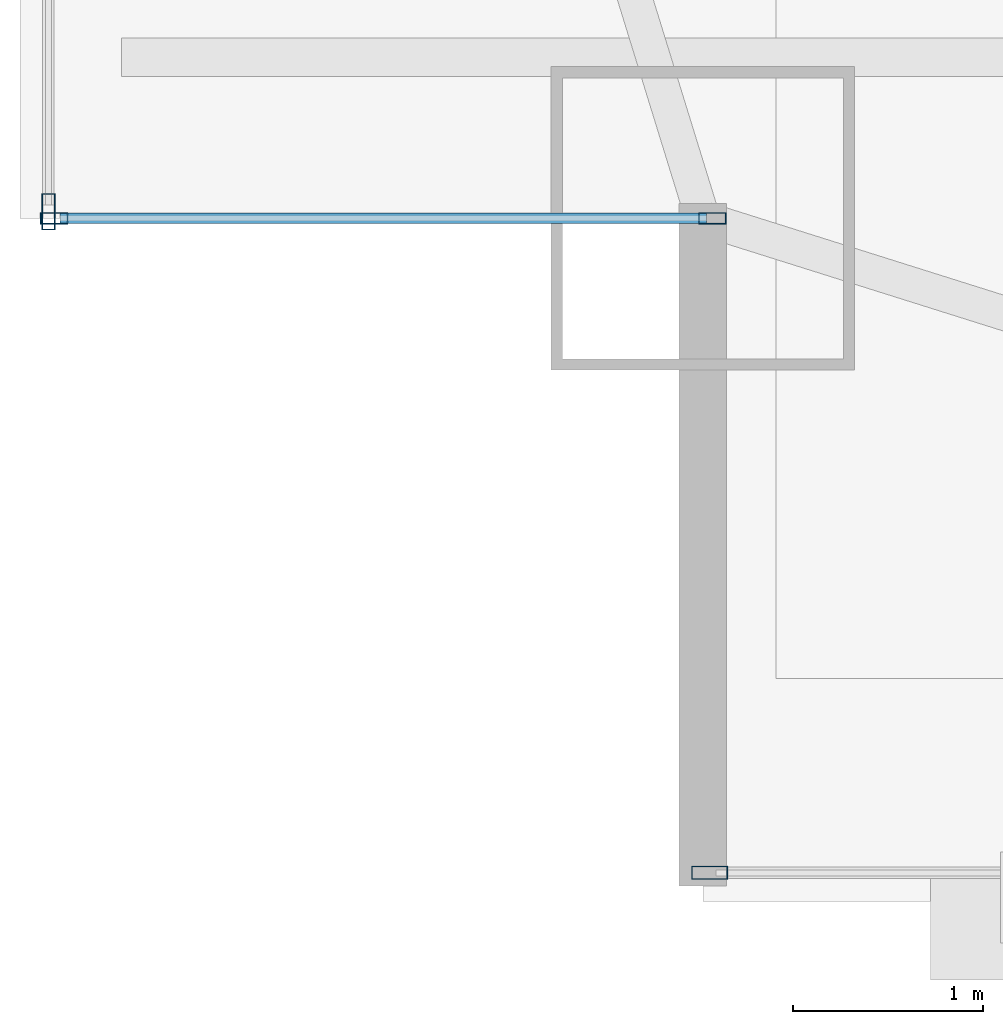
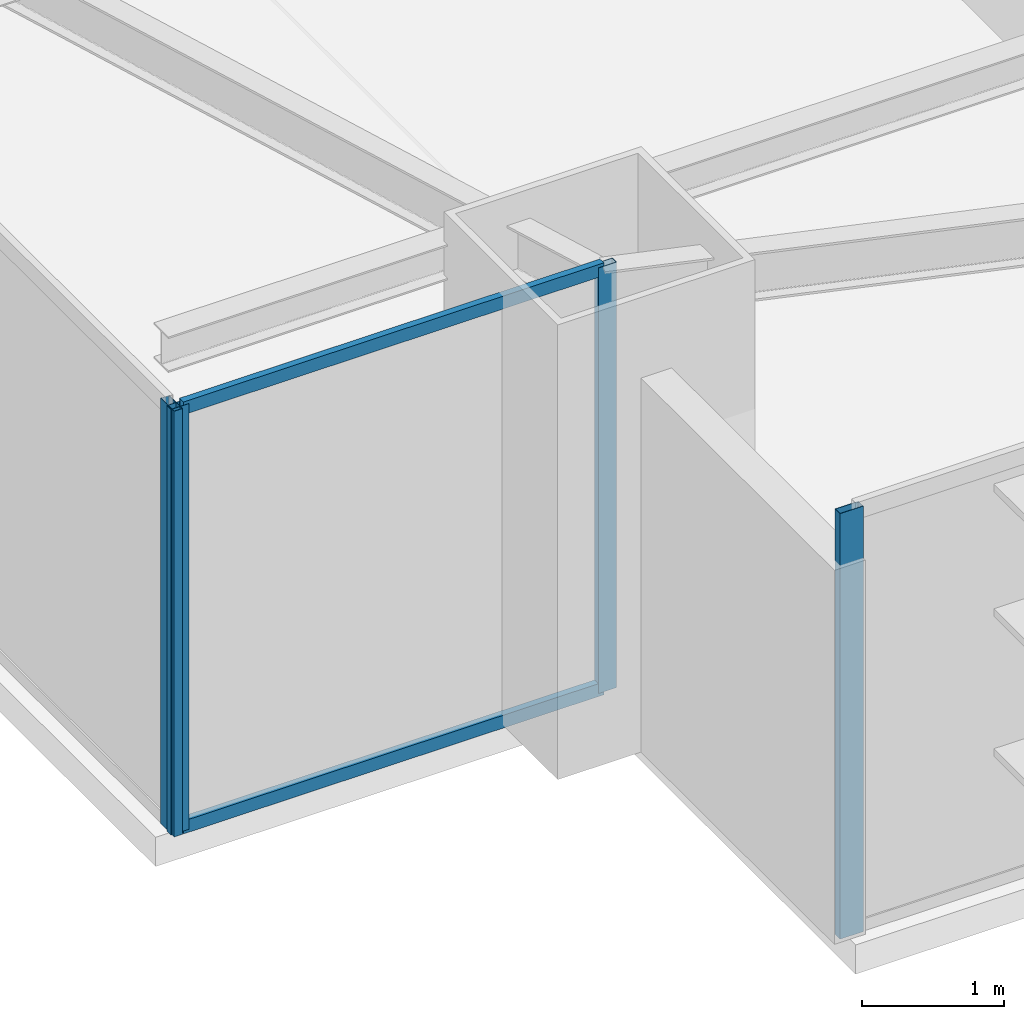
# One storey, part 3 of 30: 6 members, 3 elements without a shape of their own.
"""IFC4 building model written with IfcOpenShell, lengths in metres."""

from ifc_helpers import new_model, si_unit, direction, frame, origin, origin_2d, place, context, subcontext, project, spatial, hollow_rectangle, extrude, source, transform, mapped, material, layer, layer_set, material_profile, profile_set, type_object, type_shapes, element, aggregate, save


model = new_model("IFC4")

# Units and contexts
model_context = context("Model", 3, precision=1e-05, world=origin(), true_north=direction((0.0, 1.0)))
body_context = subcontext(model_context, "Body", "Model", "MODEL_VIEW")
ifc_project = project(units=[si_unit("LENGTHUNIT", "METRE"), si_unit("AREAUNIT", "SQUARE_METRE"), si_unit("VOLUMEUNIT", "CUBIC_METRE"), si_unit("PLANEANGLEUNIT", "RADIAN"), si_unit("MASSUNIT", "GRAM", prefix="KILO")], contexts=[model_context])

# Site, building, storey
site_placement = place(None, origin())
site = spatial("IfcSite", under=ifc_project, at=site_placement, CompositionType="ELEMENT")
building_placement = place(site_placement, origin())
building = spatial("IfcBuilding", under=site, at=building_placement, Name="Varnel Quay Broadcast Tower", CompositionType="ELEMENT")
storey_placement = place(building_placement, frame((0.0, 0.0, 62.699951171875)))
storey = spatial("IfcBuildingStorey", under=building, at=storey_placement, Name="L14", CompositionType="ELEMENT", Elevation=62.699951171875)

# Curtain wall, members
ifc_material = material(Name="Anodised Bronze Aluminium 6063-T6", Category="aluminium")
ifc_layer_1 = layer(ifc_material, 0.18994140625, Name="Anodised Bronze Aluminium 6063-T6")
ifc_layer_set_1 = layer_set([ifc_layer_1], Name="Anodised Bronze Aluminium 6063-T6")
curtain_wall_type_1 = type_object("IfcCurtainWallType", Name="CW_NotchCorner", PredefinedType="NOTDEFINED", material=ifc_layer_set_1)
curtain_wall_1_placement = place(storey_placement, origin())
curtain_wall_1 = element("IfcCurtainWall", 1, at=curtain_wall_1_placement, inside=storey, type_object=curtain_wall_type_1, Name="L14 SW Notch Curtain Wall", PredefinedType="NOTDEFINED")
ifc_material_profile_1 = material_profile(ifc_material, hollow_rectangle(XDim=0.054931640625, YDim=0.110107421875, WallThickness=0.0029296875, at=origin_2d()), Name="ALU55X110X3")
ifc_profile_set_1 = profile_set([ifc_material_profile_1], Name="Anodised Bronze Aluminium 6063-T6")
member_type_1 = type_object("IfcMemberType", Name="Tran_CWS-04", PredefinedType="USERDEFINED", material=ifc_profile_set_1)
shared_shape_1 = source(origin(), body_context, "Body", "SweptSolid", [
    extrude(hollow_rectangle(XDim=0.054931640625, YDim=0.110107421875, WallThickness=0.0029296875, at=origin_2d()), origin(), (0.0, 0.0, 1.0), 3.41015625),
])
type_shapes(member_type_1, [shared_shape_1])
member_1_placement = place(storey_placement, frame((2.2099609375, 4.800048828125, 0.027587890625), z_axis=(1.0, 0.0, 0.0), x_axis=(0.0, 1.0, 0.0)))
member_1 = element("IfcMember", 2, at=member_1_placement, type_object=member_type_1, Name="CWS-04 transom 1.1", ObjectType="TRANSOM", PredefinedType="USERDEFINED", context=body_context, shape_type="MappedRepresentation", body=[
    mapped(shared_shape_1, transform((0.0, 0.0, 0.0), x_axis=(1.0, 0.0, 0.0), y_axis=(0.0, 1.0, 0.0), z_axis=(0.0, 0.0, 1.0), scale=1.0)),
])
member_2_placement = place(storey_placement, frame((2.2099609375, 4.800048828125, 3.62255859375), z_axis=(1.0, 0.0, 0.0), x_axis=(0.0, 1.0, 0.0)))
member_2 = element("IfcMember", 3, at=member_2_placement, type_object=member_type_1, Name="CWS-04 transom 1.2", ObjectType="TRANSOM", PredefinedType="USERDEFINED", context=body_context, shape_type="MappedRepresentation", body=[
    mapped(shared_shape_1, transform((0.0, 0.0, 0.0), x_axis=(1.0, 0.0, 0.0), y_axis=(0.0, 1.0, 0.0), z_axis=(0.0, 0.0, 1.0), scale=1.0)),
])

# Curtain wall, member
ifc_layer_2 = layer(ifc_material, 0.18994140625, Name="Anodised Bronze Aluminium 6063-T6")
ifc_layer_set_2 = layer_set([ifc_layer_2], Name="Anodised Bronze Aluminium 6063-T6")
curtain_wall_type_2 = type_object("IfcCurtainWallType", Name="CW_LowerTower", PredefinedType="NOTDEFINED", material=ifc_layer_set_2)
curtain_wall_2_placement = place(storey_placement, origin())
curtain_wall_2 = element("IfcCurtainWall", 4, at=curtain_wall_2_placement, inside=storey, type_object=curtain_wall_type_2, Name="L14 South Unitised Curtain Wall 1", PredefinedType="NOTDEFINED")
ifc_material_profile_2 = material_profile(ifc_material, hollow_rectangle(XDim=0.070068359375, YDim=0.18994140625, WallThickness=0.00390625, at=origin_2d()), Name="ALU70X190X4")
ifc_profile_set_2 = profile_set([ifc_material_profile_2], Name="Anodised Bronze Aluminium 6063-T6")
member_type_2 = type_object("IfcMemberType", Name="Mull_CWS-02", PredefinedType="MULLION", material=ifc_profile_set_2)
shared_shape_2 = source(origin(), body_context, "Body", "SweptSolid", [
    extrude(hollow_rectangle(XDim=0.070068359375, YDim=0.18994140625, WallThickness=0.00390625, at=origin_2d()), origin(), (0.0, 0.0, 1.0), 3.650146484375),
])
type_shapes(member_type_2, [shared_shape_2])
member_3_placement = place(storey_placement, frame((5.635009765625, 1.35009765625, 0.0), z_axis=(0.0, 0.0, 1.0), x_axis=(0.0, 1.0, 0.0)))
member_3 = element("IfcMember", 5, at=member_3_placement, type_object=member_type_2, Name="CWS-02 mullion 1", PredefinedType="MULLION", context=body_context, shape_type="MappedRepresentation", body=[
    mapped(shared_shape_2, transform((0.0, 0.0, 0.0), x_axis=(1.0, 0.0, 0.0), y_axis=(0.0, 1.0, 0.0), z_axis=(0.0, 0.0, 1.0), scale=1.0)),
])
aggregate(curtain_wall_2, [member_3])

curtain_wall_3_placement = place(storey_placement, origin())
curtain_wall_3 = element("IfcCurtainWall", 6, at=curtain_wall_3_placement, inside=storey, type_object=curtain_wall_type_2, Name="L14 West Unitised Curtain Wall", PredefinedType="NOTDEFINED")
member_4_placement = place(storey_placement, frame((2.14990234375, 4.8349609375, 0.0), z_axis=(0.0, 0.0, 1.0), x_axis=(-1.0, 0.0, 0.0)))
member_4 = element("IfcMember", 7, at=member_4_placement, type_object=member_type_2, Name="CWS-02 mullion 1", PredefinedType="MULLION", context=body_context, shape_type="MappedRepresentation", body=[
    mapped(shared_shape_2, transform((0.0, 0.0, 0.0), x_axis=(1.0, 0.0, 0.0), y_axis=(0.0, 1.0, 0.0), z_axis=(0.0, 0.0, 1.0), scale=1.0)),
])
aggregate(curtain_wall_3, [member_4])

# Member
ifc_material_profile_3 = material_profile(ifc_material, hollow_rectangle(XDim=0.06005859375, YDim=0.14501953125, WallThickness=0.00341796875, at=origin_2d()), Name="ALU60X145X3.5")
ifc_profile_set_3 = profile_set([ifc_material_profile_3], Name="Anodised Bronze Aluminium 6063-T6")
member_type_3 = type_object("IfcMemberType", Name="Mull_CWS-04", PredefinedType="MULLION", material=ifc_profile_set_3)
shared_shape_3 = source(origin(), body_context, "Body", "SweptSolid", [
    extrude(hollow_rectangle(XDim=0.06005859375, YDim=0.14501953125, WallThickness=0.00341796875, at=origin_2d()), origin(), (0.0, 0.0, 1.0), 3.650146484375),
])
type_shapes(member_type_3, [shared_shape_3])
member_5_placement = place(storey_placement, frame((2.179931640625, 4.800048828125, 0.0), z_axis=(0.0, 0.0, 1.0), x_axis=(0.0, 1.0, 0.0)))
member_5 = element("IfcMember", 8, at=member_5_placement, type_object=member_type_3, Name="CWS-04 mullion 1", PredefinedType="MULLION", context=body_context, shape_type="MappedRepresentation", body=[
    mapped(shared_shape_3, transform((0.0, 0.0, 0.0), x_axis=(1.0, 0.0, 0.0), y_axis=(0.0, 1.0, 0.0), z_axis=(0.0, 0.0, 1.0), scale=1.0)),
])

member_6_placement = place(storey_placement, frame((5.64990234375, 4.800048828125, 0.0), z_axis=(0.0, 0.0, 1.0), x_axis=(0.0, 1.0, 0.0)))
member_6 = element("IfcMember", 9, at=member_6_placement, type_object=member_type_3, Name="CWS-04 mullion 2", PredefinedType="MULLION", context=body_context, shape_type="MappedRepresentation", body=[
    mapped(shared_shape_3, transform((0.0, 0.0, 0.0), x_axis=(1.0, 0.0, 0.0), y_axis=(0.0, 1.0, 0.0), z_axis=(0.0, 0.0, 1.0), scale=1.0)),
])

aggregate(curtain_wall_1, [member_5, member_6, member_1, member_2])

save(model, "model.ifc")
